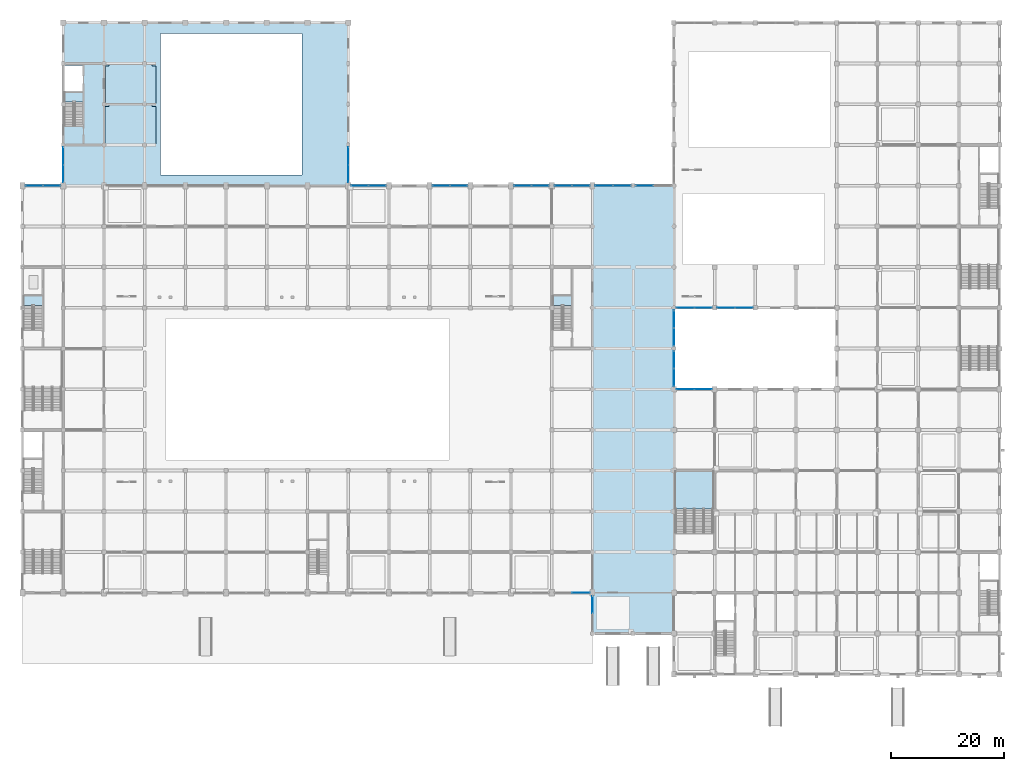
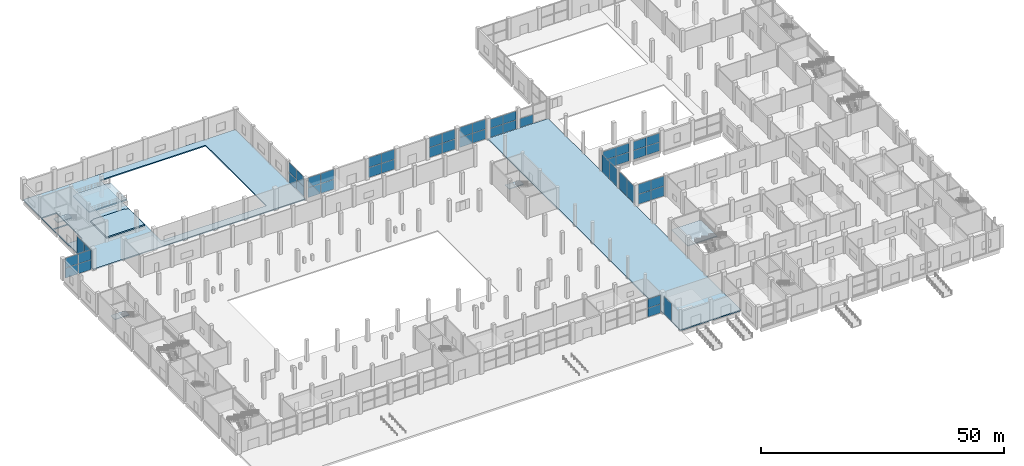
# One storey, part 42 of 70: 50 plates, 8 slabs, 20 elements without a shape of their own.
"""IFC4 building model written with IfcOpenShell, lengths in metres."""

from ifc_helpers import new_model, si_unit, direction, frame, origin, origin_2d, place, context, subcontext, project, spatial, polyline, rectangle, outline, extrude, material, layer, layer_set, type_object, element, aggregate, save


model = new_model("IFC4")

# Units and contexts
model_context = context("Model", 3, precision=1e-05, world=origin(), true_north=direction((0.0, 1.0)))
body_context = subcontext(model_context, "Body", "Model", "MODEL_VIEW")
ifc_project = project(units=[si_unit("LENGTHUNIT", "METRE"), si_unit("AREAUNIT", "SQUARE_METRE"), si_unit("VOLUMEUNIT", "CUBIC_METRE"), si_unit("PLANEANGLEUNIT", "RADIAN"), si_unit("MASSUNIT", "GRAM", prefix="KILO")], contexts=[model_context])

# Site, building, storey
site_placement = place(None, origin())
site = spatial("IfcSite", under=ifc_project, at=site_placement, CompositionType="ELEMENT")
building_placement = place(site_placement, origin())
building = spatial("IfcBuilding", under=site, at=building_placement, Name="Vesperath Aquatics Centre", CompositionType="ELEMENT")
storey_placement = place(building_placement, origin())
storey = spatial("IfcBuildingStorey", under=building, at=storey_placement, Name="L00", CompositionType="ELEMENT", Elevation=0.0)

# Curtain wall, plates
ifc_material_1 = material(Name="Thermally broken anodised bronze aluminium curtain wall", Category="aluminium")
curtain_wall_type = type_object("IfcCurtainWallType", Name="CW-01", PredefinedType="NOTDEFINED", material=ifc_material_1)
curtain_wall_1_placement = place(storey_placement, origin())
curtain_wall_1 = element("IfcCurtainWall", 1, at=curtain_wall_1_placement, inside=storey, type_object=curtain_wall_type, Name="Facade Curtain Wall CW01 L00_S_13_02", PredefinedType="NOTDEFINED")
ifc_material_2 = material(Name="Triple low-E argon insulated vision glass", Category="glass")
ifc_layer_1 = layer(ifc_material_2, 0.035888671875)
ifc_layer_set_1 = layer_set([ifc_layer_1], Name="Triple low-E argon insulated vision glass")
plate_type = type_object("IfcPlateType", Name="PT-CWP01", PredefinedType="CURTAIN_PANEL", material=ifc_layer_set_1)
plate_1_placement = place(storey_placement, frame((98.75634765625, 14.39990234375, 0.074951171875), z_axis=(0.0, 0.0, 1.0), x_axis=(1.0, 0.0, 0.0)))
plate_1 = element("IfcPlate", 2, at=plate_1_placement, type_object=plate_type, Name="CW01 panel 2.1", PredefinedType="CURTAIN_PANEL", context=body_context, shape_type="SweptSolid", body=[
    extrude(rectangle(XDim=3.03759765625, YDim=0.035888671875, at=origin_2d()), origin(), (0.0, 0.0, 1.0), 2.20751953125),
])
plate_2_placement = place(storey_placement, frame((98.75634765625, 14.39990234375, 2.357421875), z_axis=(0.0, 0.0, 1.0), x_axis=(1.0, 0.0, 0.0)))
plate_2 = element("IfcPlate", 3, at=plate_2_placement, type_object=plate_type, Name="CW01 panel 2.2", PredefinedType="CURTAIN_PANEL", context=body_context, shape_type="SweptSolid", body=[
    extrude(rectangle(XDim=3.03759765625, YDim=0.035888671875, at=origin_2d()), origin(), (0.0, 0.0, 1.0), 2.20751953125),
])
aggregate(curtain_wall_1, [plate_1, plate_2])

curtain_wall_2_placement = place(storey_placement, origin())
curtain_wall_2 = element("IfcCurtainWall", 4, at=curtain_wall_2_placement, inside=storey, type_object=curtain_wall_type, Name="Facade Curtain Wall CW01 L00_N_16_07", PredefinedType="NOTDEFINED")
plate_3_placement = place(storey_placement, frame((117.24365234375, 50.39990234375, 0.074951171875), z_axis=(0.0, 0.0, 1.0), x_axis=(1.0, 0.0, 0.0)))
plate_3 = element("IfcPlate", 5, at=plate_3_placement, type_object=plate_type, Name="CW01 panel 1.1", PredefinedType="CURTAIN_PANEL", context=body_context, shape_type="SweptSolid", body=[
    extrude(rectangle(XDim=3.03759765625, YDim=0.035888671875, at=origin_2d()), origin(), (0.0, 0.0, 1.0), 2.45751953125),
])
plate_4_placement = place(storey_placement, frame((117.24365234375, 50.39990234375, 2.607421875), z_axis=(0.0, 0.0, 1.0), x_axis=(1.0, 0.0, 0.0)))
plate_4 = element("IfcPlate", 6, at=plate_4_placement, type_object=plate_type, Name="CW01 panel 1.2", PredefinedType="CURTAIN_PANEL", context=body_context, shape_type="SweptSolid", body=[
    extrude(rectangle(XDim=3.03759765625, YDim=0.035888671875, at=origin_2d()), origin(), (0.0, 0.0, 1.0), 2.45751953125),
])
plate_5_placement = place(storey_placement, frame((120.356201171875, 50.39990234375, 0.074951171875), z_axis=(0.0, 0.0, 1.0), x_axis=(1.0, 0.0, 0.0)))
plate_5 = element("IfcPlate", 7, at=plate_5_placement, type_object=plate_type, Name="CW01 panel 2.1", PredefinedType="CURTAIN_PANEL", context=body_context, shape_type="SweptSolid", body=[
    extrude(rectangle(XDim=3.03759765625, YDim=0.035888671875, at=origin_2d()), origin(), (0.0, 0.0, 1.0), 2.45751953125),
])
plate_6_placement = place(storey_placement, frame((120.356201171875, 50.39990234375, 2.607421875), z_axis=(0.0, 0.0, 1.0), x_axis=(1.0, 0.0, 0.0)))
plate_6 = element("IfcPlate", 8, at=plate_6_placement, type_object=plate_type, Name="CW01 panel 2.2", PredefinedType="CURTAIN_PANEL", context=body_context, shape_type="SweptSolid", body=[
    extrude(rectangle(XDim=3.03759765625, YDim=0.035888671875, at=origin_2d()), origin(), (0.0, 0.0, 1.0), 2.45751953125),
])
aggregate(curtain_wall_2, [plate_3, plate_4, plate_5, plate_6])

curtain_wall_3_placement = place(storey_placement, origin())
curtain_wall_3 = element("IfcCurtainWall", 9, at=curtain_wall_3_placement, inside=storey, type_object=curtain_wall_type, Name="Facade Curtain Wall CW01 L00_S_16_09", PredefinedType="NOTDEFINED")
plate_7_placement = place(storey_placement, frame((117.21875, 64.800048828125, 0.074951171875), z_axis=(0.0, 0.0, 1.0), x_axis=(1.0, 0.0, 0.0)))
plate_7 = element("IfcPlate", 10, at=plate_7_placement, type_object=plate_type, Name="CW01 panel 1.1", PredefinedType="CURTAIN_PANEL", context=body_context, shape_type="SweptSolid", body=[
    extrude(rectangle(XDim=3.08740234375, YDim=0.035888671875, at=origin_2d()), origin(), (0.0, 0.0, 1.0), 2.20751953125),
])
plate_8_placement = place(storey_placement, frame((117.21875, 64.800048828125, 2.357421875), z_axis=(0.0, 0.0, 1.0), x_axis=(1.0, 0.0, 0.0)))
plate_8 = element("IfcPlate", 11, at=plate_8_placement, type_object=plate_type, Name="CW01 panel 1.2", PredefinedType="CURTAIN_PANEL", context=body_context, shape_type="SweptSolid", body=[
    extrude(rectangle(XDim=3.08740234375, YDim=0.035888671875, at=origin_2d()), origin(), (0.0, 0.0, 1.0), 2.20751953125),
])
plate_9_placement = place(storey_placement, frame((120.38134765625, 64.800048828125, 0.074951171875), z_axis=(0.0, 0.0, 1.0), x_axis=(1.0, 0.0, 0.0)))
plate_9 = element("IfcPlate", 12, at=plate_9_placement, type_object=plate_type, Name="CW01 panel 2.1", PredefinedType="CURTAIN_PANEL", context=body_context, shape_type="SweptSolid", body=[
    extrude(rectangle(XDim=3.08740234375, YDim=0.035888671875, at=origin_2d()), origin(), (0.0, 0.0, 1.0), 2.20751953125),
])
plate_10_placement = place(storey_placement, frame((120.38134765625, 64.800048828125, 2.357421875), z_axis=(0.0, 0.0, 1.0), x_axis=(1.0, 0.0, 0.0)))
plate_10 = element("IfcPlate", 13, at=plate_10_placement, type_object=plate_type, Name="CW01 panel 2.2", PredefinedType="CURTAIN_PANEL", context=body_context, shape_type="SweptSolid", body=[
    extrude(rectangle(XDim=3.08740234375, YDim=0.035888671875, at=origin_2d()), origin(), (0.0, 0.0, 1.0), 2.20751953125),
])
aggregate(curtain_wall_3, [plate_7, plate_8, plate_9, plate_10])

curtain_wall_4_placement = place(storey_placement, origin())
curtain_wall_4 = element("IfcCurtainWall", 14, at=curtain_wall_4_placement, inside=storey, type_object=curtain_wall_type, Name="Facade Curtain Wall CW01 L00_S_17_09", PredefinedType="NOTDEFINED")
plate_11_placement = place(storey_placement, frame((124.418701171875, 64.800048828125, 0.074951171875), z_axis=(0.0, 0.0, 1.0), x_axis=(1.0, 0.0, 0.0)))
plate_11 = element("IfcPlate", 15, at=plate_11_placement, type_object=plate_type, Name="CW01 panel 1.1", PredefinedType="CURTAIN_PANEL", context=body_context, shape_type="SweptSolid", body=[
    extrude(rectangle(XDim=3.08740234375, YDim=0.035888671875, at=origin_2d()), origin(), (0.0, 0.0, 1.0), 2.20751953125),
])
plate_12_placement = place(storey_placement, frame((124.418701171875, 64.800048828125, 2.357421875), z_axis=(0.0, 0.0, 1.0), x_axis=(1.0, 0.0, 0.0)))
plate_12 = element("IfcPlate", 16, at=plate_12_placement, type_object=plate_type, Name="CW01 panel 1.2", PredefinedType="CURTAIN_PANEL", context=body_context, shape_type="SweptSolid", body=[
    extrude(rectangle(XDim=3.08740234375, YDim=0.035888671875, at=origin_2d()), origin(), (0.0, 0.0, 1.0), 2.20751953125),
])
plate_13_placement = place(storey_placement, frame((127.581298828125, 64.800048828125, 0.074951171875), z_axis=(0.0, 0.0, 1.0), x_axis=(1.0, 0.0, 0.0)))
plate_13 = element("IfcPlate", 17, at=plate_13_placement, type_object=plate_type, Name="CW01 panel 2.1", PredefinedType="CURTAIN_PANEL", context=body_context, shape_type="SweptSolid", body=[
    extrude(rectangle(XDim=3.08740234375, YDim=0.035888671875, at=origin_2d()), origin(), (0.0, 0.0, 1.0), 2.20751953125),
])
plate_14_placement = place(storey_placement, frame((127.581298828125, 64.800048828125, 2.357421875), z_axis=(0.0, 0.0, 1.0), x_axis=(1.0, 0.0, 0.0)))
plate_14 = element("IfcPlate", 18, at=plate_14_placement, type_object=plate_type, Name="CW01 panel 2.2", PredefinedType="CURTAIN_PANEL", context=body_context, shape_type="SweptSolid", body=[
    extrude(rectangle(XDim=3.08740234375, YDim=0.035888671875, at=origin_2d()), origin(), (0.0, 0.0, 1.0), 2.20751953125),
])
aggregate(curtain_wall_4, [plate_11, plate_12, plate_13, plate_14])

curtain_wall_5_placement = place(storey_placement, origin())
curtain_wall_5 = element("IfcCurtainWall", 19, at=curtain_wall_5_placement, inside=storey, type_object=curtain_wall_type, Name="Facade Curtain Wall CW01 L00_N_00_12", PredefinedType="NOTDEFINED")
plate_15_placement = place(storey_placement, frame((2.043701171875, 86.39990234375, 0.074951171875), z_axis=(0.0, 0.0, 1.0), x_axis=(1.0, 0.0, 0.0)))
plate_15 = element("IfcPlate", 20, at=plate_15_placement, type_object=plate_type, Name="CW01 panel 1.1", PredefinedType="CURTAIN_PANEL", context=body_context, shape_type="SweptSolid", body=[
    extrude(rectangle(XDim=3.03759765625, YDim=0.035888671875, at=origin_2d()), origin(), (0.0, 0.0, 1.0), 2.45751953125),
])
plate_16_placement = place(storey_placement, frame((2.043701171875, 86.39990234375, 2.607421875), z_axis=(0.0, 0.0, 1.0), x_axis=(1.0, 0.0, 0.0)))
plate_16 = element("IfcPlate", 21, at=plate_16_placement, type_object=plate_type, Name="CW01 panel 1.2", PredefinedType="CURTAIN_PANEL", context=body_context, shape_type="SweptSolid", body=[
    extrude(rectangle(XDim=3.03759765625, YDim=0.035888671875, at=origin_2d()), origin(), (0.0, 0.0, 1.0), 2.45751953125),
])
plate_17_placement = place(storey_placement, frame((5.15625, 86.39990234375, 0.074951171875), z_axis=(0.0, 0.0, 1.0), x_axis=(1.0, 0.0, 0.0)))
plate_17 = element("IfcPlate", 22, at=plate_17_placement, type_object=plate_type, Name="CW01 panel 2.1", PredefinedType="CURTAIN_PANEL", context=body_context, shape_type="SweptSolid", body=[
    extrude(rectangle(XDim=3.03759765625, YDim=0.035888671875, at=origin_2d()), origin(), (0.0, 0.0, 1.0), 2.45751953125),
])
plate_18_placement = place(storey_placement, frame((5.15625, 86.39990234375, 2.607421875), z_axis=(0.0, 0.0, 1.0), x_axis=(1.0, 0.0, 0.0)))
plate_18 = element("IfcPlate", 23, at=plate_18_placement, type_object=plate_type, Name="CW01 panel 2.2", PredefinedType="CURTAIN_PANEL", context=body_context, shape_type="SweptSolid", body=[
    extrude(rectangle(XDim=3.03759765625, YDim=0.035888671875, at=origin_2d()), origin(), (0.0, 0.0, 1.0), 2.45751953125),
])
aggregate(curtain_wall_5, [plate_15, plate_16, plate_17, plate_18])

curtain_wall_6_placement = place(storey_placement, origin())
curtain_wall_6 = element("IfcCurtainWall", 24, at=curtain_wall_6_placement, inside=storey, type_object=curtain_wall_type, Name="Facade Curtain Wall CW01 L00_N_08_12", PredefinedType="NOTDEFINED")
plate_19_placement = place(storey_placement, frame((59.643798828125, 86.39990234375, 0.074951171875), z_axis=(0.0, 0.0, 1.0), x_axis=(1.0, 0.0, 0.0)))
plate_19 = element("IfcPlate", 25, at=plate_19_placement, type_object=plate_type, Name="CW01 panel 1.1", PredefinedType="CURTAIN_PANEL", context=body_context, shape_type="SweptSolid", body=[
    extrude(rectangle(XDim=3.03759765625, YDim=0.035888671875, at=origin_2d()), origin(), (0.0, 0.0, 1.0), 2.45751953125),
])
plate_20_placement = place(storey_placement, frame((59.643798828125, 86.39990234375, 2.607421875), z_axis=(0.0, 0.0, 1.0), x_axis=(1.0, 0.0, 0.0)))
plate_20 = element("IfcPlate", 26, at=plate_20_placement, type_object=plate_type, Name="CW01 panel 1.2", PredefinedType="CURTAIN_PANEL", context=body_context, shape_type="SweptSolid", body=[
    extrude(rectangle(XDim=3.03759765625, YDim=0.035888671875, at=origin_2d()), origin(), (0.0, 0.0, 1.0), 2.45751953125),
])
plate_21_placement = place(storey_placement, frame((62.75634765625, 86.39990234375, 0.074951171875), z_axis=(0.0, 0.0, 1.0), x_axis=(1.0, 0.0, 0.0)))
plate_21 = element("IfcPlate", 27, at=plate_21_placement, type_object=plate_type, Name="CW01 panel 2.1", PredefinedType="CURTAIN_PANEL", context=body_context, shape_type="SweptSolid", body=[
    extrude(rectangle(XDim=3.03759765625, YDim=0.035888671875, at=origin_2d()), origin(), (0.0, 0.0, 1.0), 2.45751953125),
])
plate_22_placement = place(storey_placement, frame((62.75634765625, 86.39990234375, 2.607421875), z_axis=(0.0, 0.0, 1.0), x_axis=(1.0, 0.0, 0.0)))
plate_22 = element("IfcPlate", 28, at=plate_22_placement, type_object=plate_type, Name="CW01 panel 2.2", PredefinedType="CURTAIN_PANEL", context=body_context, shape_type="SweptSolid", body=[
    extrude(rectangle(XDim=3.03759765625, YDim=0.035888671875, at=origin_2d()), origin(), (0.0, 0.0, 1.0), 2.45751953125),
])
aggregate(curtain_wall_6, [plate_19, plate_20, plate_21, plate_22])

curtain_wall_7_placement = place(storey_placement, origin())
curtain_wall_7 = element("IfcCurtainWall", 29, at=curtain_wall_7_placement, inside=storey, type_object=curtain_wall_type, Name="Facade Curtain Wall CW01 L00_N_10_12", PredefinedType="NOTDEFINED")
plate_23_placement = place(storey_placement, frame((74.043701171875, 86.39990234375, 0.074951171875), z_axis=(0.0, 0.0, 1.0), x_axis=(1.0, 0.0, 0.0)))
plate_23 = element("IfcPlate", 30, at=plate_23_placement, type_object=plate_type, Name="CW01 panel 1.1", PredefinedType="CURTAIN_PANEL", context=body_context, shape_type="SweptSolid", body=[
    extrude(rectangle(XDim=3.03759765625, YDim=0.035888671875, at=origin_2d()), origin(), (0.0, 0.0, 1.0), 2.45751953125),
])
plate_24_placement = place(storey_placement, frame((74.043701171875, 86.39990234375, 2.607421875), z_axis=(0.0, 0.0, 1.0), x_axis=(1.0, 0.0, 0.0)))
plate_24 = element("IfcPlate", 31, at=plate_24_placement, type_object=plate_type, Name="CW01 panel 1.2", PredefinedType="CURTAIN_PANEL", context=body_context, shape_type="SweptSolid", body=[
    extrude(rectangle(XDim=3.03759765625, YDim=0.035888671875, at=origin_2d()), origin(), (0.0, 0.0, 1.0), 2.45751953125),
])
plate_25_placement = place(storey_placement, frame((77.15625, 86.39990234375, 0.074951171875), z_axis=(0.0, 0.0, 1.0), x_axis=(1.0, 0.0, 0.0)))
plate_25 = element("IfcPlate", 32, at=plate_25_placement, type_object=plate_type, Name="CW01 panel 2.1", PredefinedType="CURTAIN_PANEL", context=body_context, shape_type="SweptSolid", body=[
    extrude(rectangle(XDim=3.03759765625, YDim=0.035888671875, at=origin_2d()), origin(), (0.0, 0.0, 1.0), 2.45751953125),
])
plate_26_placement = place(storey_placement, frame((77.15625, 86.39990234375, 2.607421875), z_axis=(0.0, 0.0, 1.0), x_axis=(1.0, 0.0, 0.0)))
plate_26 = element("IfcPlate", 33, at=plate_26_placement, type_object=plate_type, Name="CW01 panel 2.2", PredefinedType="CURTAIN_PANEL", context=body_context, shape_type="SweptSolid", body=[
    extrude(rectangle(XDim=3.03759765625, YDim=0.035888671875, at=origin_2d()), origin(), (0.0, 0.0, 1.0), 2.45751953125),
])
aggregate(curtain_wall_7, [plate_23, plate_24, plate_25, plate_26])

curtain_wall_8_placement = place(storey_placement, origin())
curtain_wall_8 = element("IfcCurtainWall", 34, at=curtain_wall_8_placement, inside=storey, type_object=curtain_wall_type, Name="Facade Curtain Wall CW01 L00_N_12_12", PredefinedType="NOTDEFINED")
plate_27_placement = place(storey_placement, frame((88.44384765625, 86.39990234375, 0.074951171875), z_axis=(0.0, 0.0, 1.0), x_axis=(1.0, 0.0, 0.0)))
plate_27 = element("IfcPlate", 35, at=plate_27_placement, type_object=plate_type, Name="CW01 panel 1.1", PredefinedType="CURTAIN_PANEL", context=body_context, shape_type="SweptSolid", body=[
    extrude(rectangle(XDim=3.03759765625, YDim=0.035888671875, at=origin_2d()), origin(), (0.0, 0.0, 1.0), 2.45751953125),
])
plate_28_placement = place(storey_placement, frame((88.44384765625, 86.39990234375, 2.607421875), z_axis=(0.0, 0.0, 1.0), x_axis=(1.0, 0.0, 0.0)))
plate_28 = element("IfcPlate", 36, at=plate_28_placement, type_object=plate_type, Name="CW01 panel 1.2", PredefinedType="CURTAIN_PANEL", context=body_context, shape_type="SweptSolid", body=[
    extrude(rectangle(XDim=3.03759765625, YDim=0.035888671875, at=origin_2d()), origin(), (0.0, 0.0, 1.0), 2.45751953125),
])
plate_29_placement = place(storey_placement, frame((91.55615234375, 86.39990234375, 0.074951171875), z_axis=(0.0, 0.0, 1.0), x_axis=(1.0, 0.0, 0.0)))
plate_29 = element("IfcPlate", 37, at=plate_29_placement, type_object=plate_type, Name="CW01 panel 2.1", PredefinedType="CURTAIN_PANEL", context=body_context, shape_type="SweptSolid", body=[
    extrude(rectangle(XDim=3.03759765625, YDim=0.035888671875, at=origin_2d()), origin(), (0.0, 0.0, 1.0), 2.45751953125),
])
plate_30_placement = place(storey_placement, frame((91.55615234375, 86.39990234375, 2.607421875), z_axis=(0.0, 0.0, 1.0), x_axis=(1.0, 0.0, 0.0)))
plate_30 = element("IfcPlate", 38, at=plate_30_placement, type_object=plate_type, Name="CW01 panel 2.2", PredefinedType="CURTAIN_PANEL", context=body_context, shape_type="SweptSolid", body=[
    extrude(rectangle(XDim=3.03759765625, YDim=0.035888671875, at=origin_2d()), origin(), (0.0, 0.0, 1.0), 2.45751953125),
])
aggregate(curtain_wall_8, [plate_27, plate_28, plate_29, plate_30])

curtain_wall_9_placement = place(storey_placement, origin())
curtain_wall_9 = element("IfcCurtainWall", 39, at=curtain_wall_9_placement, inside=storey, type_object=curtain_wall_type, Name="Facade Curtain Wall CW01 L00_N_13_12", PredefinedType="NOTDEFINED")
plate_31_placement = place(storey_placement, frame((95.643798828125, 86.39990234375, 0.074951171875), z_axis=(0.0, 0.0, 1.0), x_axis=(1.0, 0.0, 0.0)))
plate_31 = element("IfcPlate", 40, at=plate_31_placement, type_object=plate_type, Name="CW01 panel 1.1", PredefinedType="CURTAIN_PANEL", context=body_context, shape_type="SweptSolid", body=[
    extrude(rectangle(XDim=3.03759765625, YDim=0.035888671875, at=origin_2d()), origin(), (0.0, 0.0, 1.0), 2.45751953125),
])
plate_32_placement = place(storey_placement, frame((95.643798828125, 86.39990234375, 2.607421875), z_axis=(0.0, 0.0, 1.0), x_axis=(1.0, 0.0, 0.0)))
plate_32 = element("IfcPlate", 41, at=plate_32_placement, type_object=plate_type, Name="CW01 panel 1.2", PredefinedType="CURTAIN_PANEL", context=body_context, shape_type="SweptSolid", body=[
    extrude(rectangle(XDim=3.03759765625, YDim=0.035888671875, at=origin_2d()), origin(), (0.0, 0.0, 1.0), 2.45751953125),
])
plate_33_placement = place(storey_placement, frame((98.75634765625, 86.39990234375, 0.074951171875), z_axis=(0.0, 0.0, 1.0), x_axis=(1.0, 0.0, 0.0)))
plate_33 = element("IfcPlate", 42, at=plate_33_placement, type_object=plate_type, Name="CW01 panel 2.1", PredefinedType="CURTAIN_PANEL", context=body_context, shape_type="SweptSolid", body=[
    extrude(rectangle(XDim=3.03759765625, YDim=0.035888671875, at=origin_2d()), origin(), (0.0, 0.0, 1.0), 2.45751953125),
])
plate_34_placement = place(storey_placement, frame((98.75634765625, 86.39990234375, 2.607421875), z_axis=(0.0, 0.0, 1.0), x_axis=(1.0, 0.0, 0.0)))
plate_34 = element("IfcPlate", 43, at=plate_34_placement, type_object=plate_type, Name="CW01 panel 2.2", PredefinedType="CURTAIN_PANEL", context=body_context, shape_type="SweptSolid", body=[
    extrude(rectangle(XDim=3.03759765625, YDim=0.035888671875, at=origin_2d()), origin(), (0.0, 0.0, 1.0), 2.45751953125),
])
aggregate(curtain_wall_9, [plate_31, plate_32, plate_33, plate_34])

curtain_wall_10_placement = place(storey_placement, origin())
curtain_wall_10 = element("IfcCurtainWall", 44, at=curtain_wall_10_placement, inside=storey, type_object=curtain_wall_type, Name="Facade Curtain Wall CW01 L00_N_14_12", PredefinedType="NOTDEFINED")
plate_35_placement = place(storey_placement, frame((102.86865234375, 86.39990234375, 0.074951171875), z_axis=(0.0, 0.0, 1.0), x_axis=(1.0, 0.0, 0.0)))
plate_35 = element("IfcPlate", 45, at=plate_35_placement, type_object=plate_type, Name="CW01 panel 1.1", PredefinedType="CURTAIN_PANEL", context=body_context, shape_type="SweptSolid", body=[
    extrude(rectangle(XDim=3.08740234375, YDim=0.035888671875, at=origin_2d()), origin(), (0.0, 0.0, 1.0), 2.20751953125),
])
plate_36_placement = place(storey_placement, frame((102.86865234375, 86.39990234375, 2.357421875), z_axis=(0.0, 0.0, 1.0), x_axis=(1.0, 0.0, 0.0)))
plate_36 = element("IfcPlate", 46, at=plate_36_placement, type_object=plate_type, Name="CW01 panel 1.2", PredefinedType="CURTAIN_PANEL", context=body_context, shape_type="SweptSolid", body=[
    extrude(rectangle(XDim=3.08740234375, YDim=0.035888671875, at=origin_2d()), origin(), (0.0, 0.0, 1.0), 2.20751953125),
])
plate_37_placement = place(storey_placement, frame((106.03125, 86.39990234375, 0.074951171875), z_axis=(0.0, 0.0, 1.0), x_axis=(1.0, 0.0, 0.0)))
plate_37 = element("IfcPlate", 47, at=plate_37_placement, type_object=plate_type, Name="CW01 panel 2.1", PredefinedType="CURTAIN_PANEL", context=body_context, shape_type="SweptSolid", body=[
    extrude(rectangle(XDim=3.08740234375, YDim=0.035888671875, at=origin_2d()), origin(), (0.0, 0.0, 1.0), 2.20751953125),
])
plate_38_placement = place(storey_placement, frame((106.03125, 86.39990234375, 2.357421875), z_axis=(0.0, 0.0, 1.0), x_axis=(1.0, 0.0, 0.0)))
plate_38 = element("IfcPlate", 48, at=plate_38_placement, type_object=plate_type, Name="CW01 panel 2.2", PredefinedType="CURTAIN_PANEL", context=body_context, shape_type="SweptSolid", body=[
    extrude(rectangle(XDim=3.08740234375, YDim=0.035888671875, at=origin_2d()), origin(), (0.0, 0.0, 1.0), 2.20751953125),
])
aggregate(curtain_wall_10, [plate_35, plate_36, plate_37, plate_38])

# Curtain wall, plate
curtain_wall_11_placement = place(storey_placement, origin())
curtain_wall_11 = element("IfcCurtainWall", 49, at=curtain_wall_11_placement, inside=storey, type_object=curtain_wall_type, Name="Facade Curtain Wall CW01 L00_N_15_12", PredefinedType="NOTDEFINED")
plate_39_placement = place(storey_placement, frame((109.981201171875, 86.39990234375, 0.074951171875), z_axis=(0.0, 0.0, 1.0), x_axis=(1.0, 0.0, 0.0)))
plate_39 = element("IfcPlate", 50, at=plate_39_placement, type_object=plate_type, Name="CW01 panel 1.1", PredefinedType="CURTAIN_PANEL", context=body_context, shape_type="SweptSolid", body=[
    extrude(rectangle(XDim=3.112548828125, YDim=0.035888671875, at=origin_2d()), origin(), (0.0, 0.0, 1.0), 2.20751953125),
])
aggregate(curtain_wall_11, [plate_39])

# Curtain wall, plates
curtain_wall_12_placement = place(storey_placement, origin())
curtain_wall_12 = element("IfcCurtainWall", 51, at=curtain_wall_12_placement, inside=storey, type_object=curtain_wall_type, Name="Facade Curtain Wall CW01 L00_W_01_12", PredefinedType="NOTDEFINED")
plate_40_placement = place(storey_placement, frame((7.199951171875, 88.543701171875, 0.0751953125), z_axis=(0.0, 0.0, 1.0), x_axis=(0.0, 1.0, 0.0)))
plate_40 = element("IfcPlate", 52, at=plate_40_placement, type_object=plate_type, Name="CW01 panel 1.1", PredefinedType="CURTAIN_PANEL", context=body_context, shape_type="SweptSolid", body=[
    extrude(rectangle(XDim=3.03759765625, YDim=0.035888671875, at=origin_2d()), origin(), (0.0, 0.0, 1.0), 4.139892578125),
])
plate_41_placement = place(storey_placement, frame((7.199951171875, 91.65625, 0.0751953125), z_axis=(0.0, 0.0, 1.0), x_axis=(0.0, 1.0, 0.0)))
plate_41 = element("IfcPlate", 53, at=plate_41_placement, type_object=plate_type, Name="CW01 panel 2.1", PredefinedType="CURTAIN_PANEL", context=body_context, shape_type="SweptSolid", body=[
    extrude(rectangle(XDim=3.03759765625, YDim=0.035888671875, at=origin_2d()), origin(), (0.0, 0.0, 1.0), 4.139892578125),
])
aggregate(curtain_wall_12, [plate_40, plate_41])

curtain_wall_13_placement = place(storey_placement, origin())
curtain_wall_13 = element("IfcCurtainWall", 54, at=curtain_wall_13_placement, inside=storey, type_object=curtain_wall_type, Name="Facade Curtain Wall CW01 L00_E_08_12", PredefinedType="NOTDEFINED")
plate_42_placement = place(storey_placement, frame((57.60009765625, 88.543701171875, 0.074951171875), z_axis=(0.0, 0.0, 1.0), x_axis=(0.0, 1.0, 0.0)))
plate_42 = element("IfcPlate", 55, at=plate_42_placement, type_object=plate_type, Name="CW01 panel 1.1", PredefinedType="CURTAIN_PANEL", context=body_context, shape_type="SweptSolid", body=[
    extrude(rectangle(XDim=3.03759765625, YDim=0.035888671875, at=origin_2d()), origin(), (0.0, 0.0, 1.0), 2.45751953125),
])
plate_43_placement = place(storey_placement, frame((57.60009765625, 88.543701171875, 2.607421875), z_axis=(0.0, 0.0, 1.0), x_axis=(0.0, 1.0, 0.0)))
plate_43 = element("IfcPlate", 56, at=plate_43_placement, type_object=plate_type, Name="CW01 panel 1.2", PredefinedType="CURTAIN_PANEL", context=body_context, shape_type="SweptSolid", body=[
    extrude(rectangle(XDim=3.03759765625, YDim=0.035888671875, at=origin_2d()), origin(), (0.0, 0.0, 1.0), 2.45751953125),
])
plate_44_placement = place(storey_placement, frame((57.60009765625, 91.65625, 0.074951171875), z_axis=(0.0, 0.0, 1.0), x_axis=(0.0, 1.0, 0.0)))
plate_44 = element("IfcPlate", 57, at=plate_44_placement, type_object=plate_type, Name="CW01 panel 2.1", PredefinedType="CURTAIN_PANEL", context=body_context, shape_type="SweptSolid", body=[
    extrude(rectangle(XDim=3.03759765625, YDim=0.035888671875, at=origin_2d()), origin(), (0.0, 0.0, 1.0), 2.45751953125),
])
plate_45_placement = place(storey_placement, frame((57.60009765625, 91.65625, 2.607421875), z_axis=(0.0, 0.0, 1.0), x_axis=(0.0, 1.0, 0.0)))
plate_45 = element("IfcPlate", 58, at=plate_45_placement, type_object=plate_type, Name="CW01 panel 2.2", PredefinedType="CURTAIN_PANEL", context=body_context, shape_type="SweptSolid", body=[
    extrude(rectangle(XDim=3.03759765625, YDim=0.035888671875, at=origin_2d()), origin(), (0.0, 0.0, 1.0), 2.45751953125),
])
aggregate(curtain_wall_13, [plate_42, plate_43, plate_44, plate_45])

# Curtain wall, plate
curtain_wall_14_placement = place(storey_placement, origin())
curtain_wall_14 = element("IfcCurtainWall", 59, at=curtain_wall_14_placement, inside=storey, type_object=curtain_wall_type, Name="Facade Curtain Wall CW01 L00_W_14_01", PredefinedType="NOTDEFINED")
plate_46_placement = place(storey_placement, frame((100.800048828125, 12.268798828125, 0.0751953125), z_axis=(0.0, 0.0, 1.0), x_axis=(0.0, 1.0, 0.0)))
plate_46 = element("IfcPlate", 60, at=plate_46_placement, type_object=plate_type, Name="CW01 panel 2.1", PredefinedType="CURTAIN_PANEL", context=body_context, shape_type="SweptSolid", body=[
    extrude(rectangle(XDim=3.012451171875, YDim=0.035888671875, at=origin_2d()), origin(), (0.0, 0.0, 1.0), 4.340087890625),
])
aggregate(curtain_wall_14, [plate_46])

# Curtain wall, plates
curtain_wall_15_placement = place(storey_placement, origin())
curtain_wall_15 = element("IfcCurtainWall", 61, at=curtain_wall_15_placement, inside=storey, type_object=curtain_wall_type, Name="Facade Curtain Wall CW01 L00_E_16_07", PredefinedType="NOTDEFINED")
plate_47_placement = place(storey_placement, frame((115.199951171875, 52.456298828125, 0.0751953125), z_axis=(0.0, 0.0, 1.0), x_axis=(0.0, 1.0, 0.0)))
plate_47 = element("IfcPlate", 62, at=plate_47_placement, type_object=plate_type, Name="CW01 panel 1.1", PredefinedType="CURTAIN_PANEL", context=body_context, shape_type="SweptSolid", body=[
    extrude(rectangle(XDim=3.0625, YDim=0.035888671875, at=origin_2d()), origin(), (0.0, 0.0, 1.0), 4.340087890625),
])
plate_48_placement = place(storey_placement, frame((115.199951171875, 55.59375, 0.0751953125), z_axis=(0.0, 0.0, 1.0), x_axis=(0.0, 1.0, 0.0)))
plate_48 = element("IfcPlate", 63, at=plate_48_placement, type_object=plate_type, Name="CW01 panel 2.1", PredefinedType="CURTAIN_PANEL", context=body_context, shape_type="SweptSolid", body=[
    extrude(rectangle(XDim=3.0625, YDim=0.035888671875, at=origin_2d()), origin(), (0.0, 0.0, 1.0), 4.340087890625),
])
aggregate(curtain_wall_15, [plate_47, plate_48])

curtain_wall_16_placement = place(storey_placement, origin())
curtain_wall_16 = element("IfcCurtainWall", 64, at=curtain_wall_16_placement, inside=storey, type_object=curtain_wall_type, Name="Facade Curtain Wall CW01 L00_E_16_08", PredefinedType="NOTDEFINED")
plate_49_placement = place(storey_placement, frame((115.199951171875, 59.61865234375, 0.0751953125), z_axis=(0.0, 0.0, 1.0), x_axis=(0.0, 1.0, 0.0)))
plate_49 = element("IfcPlate", 65, at=plate_49_placement, type_object=plate_type, Name="CW01 panel 1.1", PredefinedType="CURTAIN_PANEL", context=body_context, shape_type="SweptSolid", body=[
    extrude(rectangle(XDim=3.08740234375, YDim=0.035888671875, at=origin_2d()), origin(), (0.0, 0.0, 1.0), 4.340087890625),
])
plate_50_placement = place(storey_placement, frame((115.199951171875, 62.78125, 0.0751953125), z_axis=(0.0, 0.0, 1.0), x_axis=(0.0, 1.0, 0.0)))
plate_50 = element("IfcPlate", 66, at=plate_50_placement, type_object=plate_type, Name="CW01 panel 2.1", PredefinedType="CURTAIN_PANEL", context=body_context, shape_type="SweptSolid", body=[
    extrude(rectangle(XDim=3.08740234375, YDim=0.035888671875, at=origin_2d()), origin(), (0.0, 0.0, 1.0), 4.340087890625),
])
aggregate(curtain_wall_16, [plate_49, plate_50])

# Slabs
ifc_material_3 = material(Name="Concrete C40", Category="concrete")
ifc_layer_2 = layer(ifc_material_3, 0.320068359375)
ifc_layer_set_2 = layer_set([ifc_layer_2], Name="Concrete C40")
slab_type_1 = type_object("IfcSlabType", Name="SL-DP01", PredefinedType="FLOOR", material=ifc_layer_set_2)
slab_1_placement = place(storey_placement, frame((0.0, 0.0, 0.679931640625)))
element("IfcSlab", 67, at=slab_1_placement, inside=storey, type_object=slab_type_1, Name="Diving Platform Slab DP 1M", PredefinedType="FLOOR", context=body_context, shape_type="SweptSolid", body=[
    extrude(outline(polyline([(14.60009765625, 93.75), (23.60009765625, 93.75), (23.60009765625, 100.39990234375), (22.89990234375, 100.39990234375), (22.89990234375, 100.64990234375), (15.300048828125, 100.64990234375), (15.300048828125, 100.39990234375), (14.60009765625, 100.39990234375), (14.60009765625, 93.75)])), origin(), (0.0, 0.0, 1.0), 0.320068359375),
])
slab_2_placement = place(storey_placement, frame((0.0, 0.0, 2.679931640625)))
element("IfcSlab", 68, at=slab_2_placement, inside=storey, type_object=slab_type_1, Name="Diving Platform Slab DP 3M", PredefinedType="FLOOR", context=body_context, shape_type="SweptSolid", body=[
    extrude(outline(polyline([(14.60009765625, 100.949951171875), (23.60009765625, 100.949951171875), (23.60009765625, 107.60009765625), (22.89990234375, 107.60009765625), (22.89990234375, 107.85009765625), (15.300048828125, 107.85009765625), (15.300048828125, 107.60009765625), (14.60009765625, 107.60009765625), (14.60009765625, 100.949951171875)])), origin(), (0.0, 0.0, 1.0), 0.320068359375),
])
ifc_material_4 = material(Name="Concrete C35", Category="concrete")
ifc_layer_3 = layer(ifc_material_4, 0.280029296875)
ifc_layer_set_3 = layer_set([ifc_layer_3], Name="Concrete C35")
slab_type_2 = type_object("IfcSlabType", Name="SL-FL01", PredefinedType="FLOOR", material=ifc_layer_set_3)
slab_3_placement = place(storey_placement, frame((0.0, 0.0, -0.280029296875)))
element("IfcSlab", 69, at=slab_3_placement, inside=storey, type_object=slab_type_2, Name="Diving Pool Deck Slab SL01 L00", PredefinedType="FLOOR", context=body_context, shape_type="SweptSolid", body=[
    extrude(outline(polyline([(7.199951171875, 86.39990234375), (57.60009765625, 86.39990234375), (57.60009765625, 115.199951171875), (7.199951171875, 115.199951171875), (7.199951171875, 86.39990234375)]), holes=[polyline([(7.280029296875, 97.050048828125), (10.739990234375, 97.050048828125), (10.739990234375, 102.9599609375), (7.280029296875, 102.9599609375), (7.280029296875, 97.050048828125)]), polyline([(7.280029296875, 103.139892578125), (10.739990234375, 103.139892578125), (10.739990234375, 107.679931640625), (7.280029296875, 107.679931640625), (7.280029296875, 103.139892578125)]), polyline([(24.39990234375, 88.300048828125), (49.39990234375, 88.300048828125), (49.39990234375, 113.300048828125), (24.39990234375, 113.300048828125), (24.39990234375, 88.300048828125)])]), origin(), (0.0, 0.0, 1.0), 0.280029296875),
])
slab_4_placement = place(storey_placement, frame((0.0, 0.0, -0.280029296875)))
element("IfcSlab", 70, at=slab_4_placement, inside=storey, type_object=slab_type_2, Name="Conservatory Ground Slab SL01 L00", PredefinedType="FLOOR", context=body_context, shape_type="SweptSolid", body=[
    extrude(outline(polyline([(100.800048828125, 7.199951171875), (115.199951171875, 7.199951171875), (115.199951171875, 86.39990234375), (100.800048828125, 86.39990234375), (100.800048828125, 7.199951171875)])), origin(), (0.0, 0.0, 1.0), 0.280029296875),
])

# Stair, slab
stair_type_1 = type_object("IfcStairType", Name="ST-HT54", PredefinedType="HALF_TURN_STAIR", material=ifc_material_4)
stair_1_placement = place(storey_placement, origin())
stair_1 = element("IfcStair", 71, at=stair_1_placement, inside=storey, type_object=stair_type_1, Name="Enclosed Exit Stair ST8 L00", PredefinedType="HALF_TURN_STAIR")
ifc_layer_4 = layer(ifc_material_4, 0.199951171875)
ifc_layer_set_4 = layer_set([ifc_layer_4], Name="Concrete C35")
slab_type_3 = type_object("IfcSlabType", Name="SL-LND1", PredefinedType="LANDING", material=ifc_layer_set_4)
slab_5_placement = place(storey_placement, frame((0.0, 0.0, 2.5)))
slab_5 = element("IfcSlab", 72, at=slab_5_placement, type_object=slab_type_3, Name="Stair ST8 Half-Landing L00", PredefinedType="LANDING", context=body_context, shape_type="SweptSolid", body=[
    extrude(outline(polyline([(93.68994140625, 65.219970703125), (97.1201171875, 65.219970703125), (97.1201171875, 66.89990234375), (93.68994140625, 66.89990234375), (93.68994140625, 65.219970703125)])), origin(), (0.0, 0.0, 1.0), 0.199951171875),
])
aggregate(stair_1, [slab_5])

stair_2_placement = place(storey_placement, origin())
stair_2 = element("IfcStair", 73, at=stair_2_placement, inside=storey, type_object=stair_type_1, Name="Enclosed Exit Stair ST3 L00", PredefinedType="HALF_TURN_STAIR")
slab_6_placement = place(storey_placement, frame((0.0, 0.0, 2.5)))
slab_6 = element("IfcSlab", 74, at=slab_6_placement, type_object=slab_type_3, Name="Stair ST3 Half-Landing L00", PredefinedType="LANDING", context=body_context, shape_type="SweptSolid", body=[
    extrude(outline(polyline([(7.2900390625, 101.219970703125), (10.719970703125, 101.219970703125), (10.719970703125, 102.89990234375), (7.2900390625, 102.89990234375), (7.2900390625, 101.219970703125)])), origin(), (0.0, 0.0, 1.0), 0.199951171875),
])
aggregate(stair_2, [slab_6])

stair_type_2 = type_object("IfcStairType", Name="ST-HW54", PredefinedType="HALF_TURN_STAIR", material=ifc_material_4)
stair_3_placement = place(storey_placement, origin())
stair_3 = element("IfcStair", 75, at=stair_3_placement, inside=storey, type_object=stair_type_2, Name="Enclosed Exit Stair ST7A L00", PredefinedType="HALF_TURN_STAIR")
slab_7_placement = place(storey_placement, frame((0.0, 0.0, 2.5)))
slab_7 = element("IfcSlab", 76, at=slab_7_placement, type_object=slab_type_3, Name="Stairs ST7A and ST7B Half-Landing L00", PredefinedType="LANDING", context=body_context, shape_type="SweptSolid", body=[
    extrude(outline(polyline([(115.2900390625, 29.219970703125), (122.31005859375, 29.219970703125), (122.31005859375, 35.909912109375), (115.2900390625, 35.909912109375), (115.2900390625, 29.219970703125)])), origin(), (0.0, 0.0, 1.0), 0.199951171875),
])
aggregate(stair_3, [slab_7])

stair_4_placement = place(storey_placement, origin())
stair_4 = element("IfcStair", 77, at=stair_4_placement, inside=storey, type_object=stair_type_1, Name="Enclosed Exit Stair ST2 L00", PredefinedType="HALF_TURN_STAIR")
ifc_layer_5 = layer(ifc_material_4, 0.18994140625)
ifc_layer_set_5 = layer_set([ifc_layer_5], Name="Concrete C35")
slab_type_4 = type_object("IfcSlabType", Name="SL-LND2", PredefinedType="LANDING", material=ifc_layer_set_5)
slab_8_placement = place(storey_placement, frame((0.0, 0.0, 2.510009765625)))
slab_8 = element("IfcSlab", 78, at=slab_8_placement, type_object=slab_type_4, Name="Stair ST2 Half-Landing L00", PredefinedType="LANDING", context=body_context, shape_type="SweptSolid", body=[
    extrude(outline(polyline([(0.090087890625, 65.219970703125), (3.52001953125, 65.219970703125), (3.52001953125, 66.89990234375), (0.090087890625, 66.89990234375), (0.090087890625, 65.219970703125)])), origin(), (0.0, 0.0, 1.0), 0.18994140625),
])
aggregate(stair_4, [slab_8])

save(model, "model.ifc")
